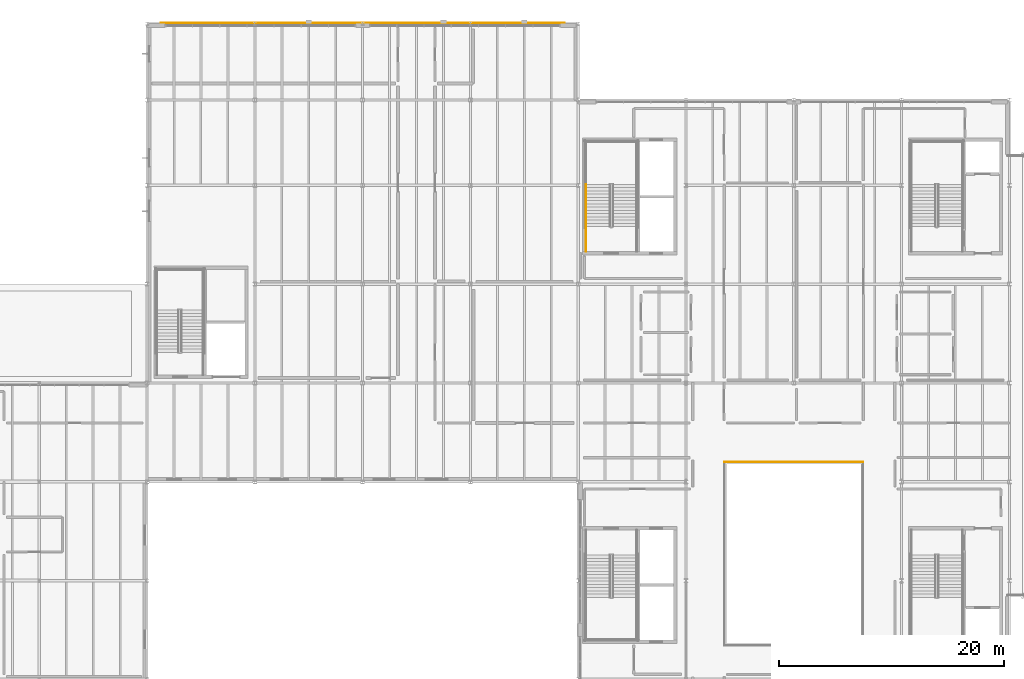
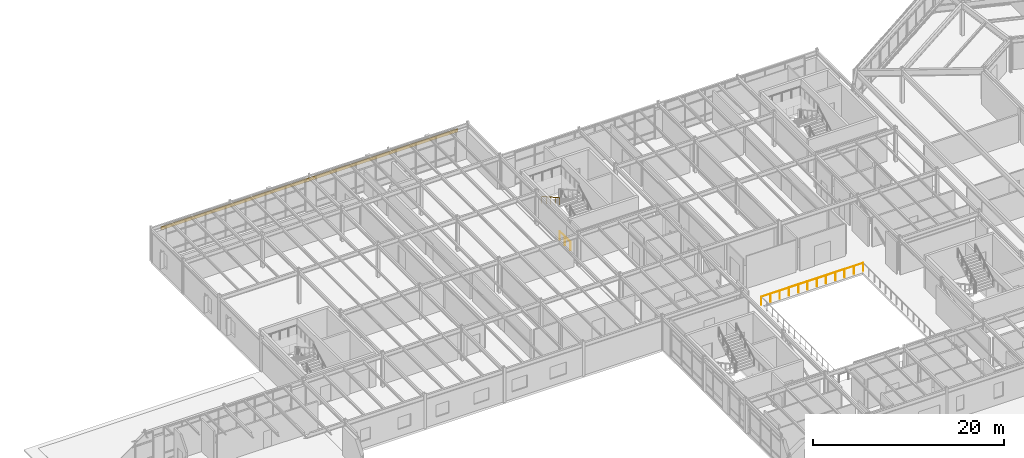
# One storey, part 66 of 69: 3 railings, 1 covering.
"""IFC4 building model written with IfcOpenShell, lengths in metres."""

from ifc_helpers import new_model, si_unit, direction, frame, origin, origin_2d, place, context, subcontext, project, spatial, rectangle, circle, extrude, material, layer, layer_set, type_object, element, save


model = new_model("IFC4")

# Units and contexts
model_context = context("Model", 3, precision=1e-05, world=origin(), true_north=direction((0.0, 1.0)))
body_context = subcontext(model_context, "Body", "Model", "MODEL_VIEW")
ifc_project = project(units=[si_unit("LENGTHUNIT", "METRE"), si_unit("AREAUNIT", "SQUARE_METRE"), si_unit("VOLUMEUNIT", "CUBIC_METRE"), si_unit("PLANEANGLEUNIT", "RADIAN"), si_unit("MASSUNIT", "GRAM", prefix="KILO")], contexts=[model_context])

# Site, building, storey
site_placement = place(None, origin())
site = spatial("IfcSite", under=ifc_project, at=site_placement, CompositionType="ELEMENT")
building_placement = place(site_placement, origin())
building = spatial("IfcBuilding", under=site, at=building_placement, Name="Sarnbrook Museum", CompositionType="ELEMENT")
storey_placement = place(building_placement, frame((0.0, 0.0, 14.60009765625)))
storey = spatial("IfcBuildingStorey", under=building, at=storey_placement, Name="L03", CompositionType="ELEMENT", Elevation=14.60009765625)

# Covering
ifc_material_1 = material(Name="Barrabool Sandstone Ashlar Cladding", Category="masonry")
ifc_layer_1 = layer(ifc_material_1, 0.074951171875)
ifc_layer_set_1 = layer_set([ifc_layer_1], Name="Barrabool Sandstone Ashlar Cladding")
covering_type = type_object("IfcCoveringType", Name="Cladding_SandstoneCornice", PredefinedType="CLADDING", material=ifc_layer_set_1)
covering_placement = place(storey_placement, frame((61.60009765625, 115.235107421875, 3.5400390625), z_axis=(0.0, 0.0, 1.0), x_axis=(1.0, 0.0, 0.0)))
element("IfcCovering", 1, at=covering_placement, inside=storey, type_object=covering_type, Name="Classical Dressed Sandstone Entablature Cornice CL-5", PredefinedType="CLADDING", context=body_context, shape_type="SweptSolid", body=[
    extrude(rectangle(XDim=36.0, YDim=0.080078125, at=origin_2d()), origin(), (0.0, 0.0, 1.0), 0.419921875),
])

# Railings
ifc_material_2 = material(Name="Brushed Stainless Steel Grade 316", Category="steel")
ifc_layer_2 = layer(ifc_material_2, 0.050048828125)
ifc_layer_set_2 = layer_set([ifc_layer_2], Name="Brushed Stainless Steel Grade 316")
railing_type_1 = type_object("IfcRailingType", Name="Guard_Int1120", PredefinedType="BALUSTRADE", material=ifc_layer_set_2)
railing_1_placement = place(storey_placement, frame((81.489990234375, 94.89990234375, 0.0)))
element("IfcRailing", 2, at=railing_1_placement, inside=storey, type_object=railing_type_1, Name="L03 ST4 stair guard 9", PredefinedType="BALUSTRADE", context=body_context, shape_type="SweptSolid", body=[
    extrude(circle(Radius=0.02392578125, at=origin_2d()), frame((0.0, 0.0, 1.09619140625), z_axis=(0.0, 1.0, 0.0), x_axis=(-1.0, 0.0, 0.0)), (0.0, 0.0, 1.0), 2.22021484375),
    extrude(circle(Radius=0.02099609375, at=origin_2d()), origin(), (0.0, 0.0, 1.0), 1.072021484375),
    extrude(circle(Radius=0.02099609375, at=origin_2d()), frame((0.0, 1.110107421875, 0.0)), (0.0, 0.0, 1.0), 1.072021484375),
    extrude(circle(Radius=0.02099609375, at=origin_2d()), frame((0.0, 2.22021484375, 0.0)), (0.0, 0.0, 1.0), 1.072021484375),
])
railing_2_placement = place(storey_placement, frame((106.179931640625, 76.179931640625, 0.0)))
element("IfcRailing", 3, at=railing_2_placement, inside=storey, type_object=railing_type_1, Name="Atrium Gallery Balustrade L03-3", PredefinedType="BALUSTRADE", context=body_context, shape_type="SweptSolid", body=[
    extrude(circle(Radius=0.02392578125, at=origin_2d()), frame((0.0, 0.0, 1.09619140625), z_axis=(-1.0, 0.0, 0.0), x_axis=(0.0, -1.0, 0.0)), (0.0, 0.0, 1.0), 12.35986328125),
    extrude(circle(Radius=0.02099609375, at=origin_2d()), origin(), (0.0, 0.0, 1.0), 1.072021484375),
    extrude(circle(Radius=0.02099609375, at=origin_2d()), frame((-1.12353515625, 0.0, 0.0)), (0.0, 0.0, 1.0), 1.072021484375),
    extrude(circle(Radius=0.02099609375, at=origin_2d()), frame((-2.247314453125, 0.0, 0.0)), (0.0, 0.0, 1.0), 1.072021484375),
    extrude(circle(Radius=0.02099609375, at=origin_2d()), frame((-3.370849609375, 0.0, 0.0)), (0.0, 0.0, 1.0), 1.072021484375),
    extrude(circle(Radius=0.02099609375, at=origin_2d()), frame((-4.494384765625, 0.0, 0.0)), (0.0, 0.0, 1.0), 1.072021484375),
    extrude(circle(Radius=0.02099609375, at=origin_2d()), frame((-5.6181640625, 0.0, 0.0)), (0.0, 0.0, 1.0), 1.072021484375),
    extrude(circle(Radius=0.02099609375, at=origin_2d()), frame((-6.74169921875, 0.0, 0.0)), (0.0, 0.0, 1.0), 1.072021484375),
    extrude(circle(Radius=0.02099609375, at=origin_2d()), frame((-7.865478515625, 0.0, 0.0)), (0.0, 0.0, 1.0), 1.072021484375),
    extrude(circle(Radius=0.02099609375, at=origin_2d()), frame((-8.989013671875, 0.0, 0.0)), (0.0, 0.0, 1.0), 1.072021484375),
    extrude(circle(Radius=0.02099609375, at=origin_2d()), frame((-10.112548828125, 0.0, 0.0)), (0.0, 0.0, 1.0), 1.072021484375),
    extrude(circle(Radius=0.02099609375, at=origin_2d()), frame((-11.236328125, 0.0, 0.0)), (0.0, 0.0, 1.0), 1.072021484375),
    extrude(circle(Radius=0.02099609375, at=origin_2d()), frame((-12.35986328125, 0.0, 0.0)), (0.0, 0.0, 1.0), 1.072021484375),
])
ifc_layer_3 = layer(ifc_material_2, 0.048095703125)
ifc_layer_set_3 = layer_set([ifc_layer_3], Name="Brushed Stainless Steel Grade 316")
railing_type_2 = type_object("IfcRailingType", Name="Handrail_920", PredefinedType="HANDRAIL", material=ifc_layer_set_3)
railing_3_placement = place(storey_placement, frame((81.489990234375, 100.889892578125, 2.41064453125)))
element("IfcRailing", 4, at=railing_3_placement, inside=storey, type_object=railing_type_2, Name="L03 ST4 stair handrail 2", PredefinedType="HANDRAIL", context=body_context, shape_type="SweptSolid", body=[
    extrude(circle(Radius=0.02392578125, at=origin_2d()), frame((0.0, 0.0, 0.8857421875), z_axis=(0.0, -0.874645791573, 0.484762559697), x_axis=(1.0, 0.0, 0.0)), (0.0, 0.0, 1.0), 4.31005859375),
    extrude(circle(Radius=0.02099609375, at=origin_2d()), origin(), (0.0, 0.0, 1.0), 0.86181640625),
    extrude(circle(Radius=0.02099609375, at=origin_2d()), frame((0.0, -0.9423828125, 0.5224609375)), (0.0, 0.0, 1.0), 0.86181640625),
    extrude(circle(Radius=0.02099609375, at=origin_2d()), frame((0.0, -1.884765625, 1.044677734375)), (0.0, 0.0, 1.0), 0.86181640625),
    extrude(circle(Radius=0.02099609375, at=origin_2d()), frame((0.0, -2.827392578125, 1.56689453125)), (0.0, 0.0, 1.0), 0.86181640625),
    extrude(circle(Radius=0.02099609375, at=origin_2d()), frame((0.0, -3.769775390625, 2.08935546875)), (0.0, 0.0, 1.0), 0.86181640625),
])

save(model, "model.ifc")
